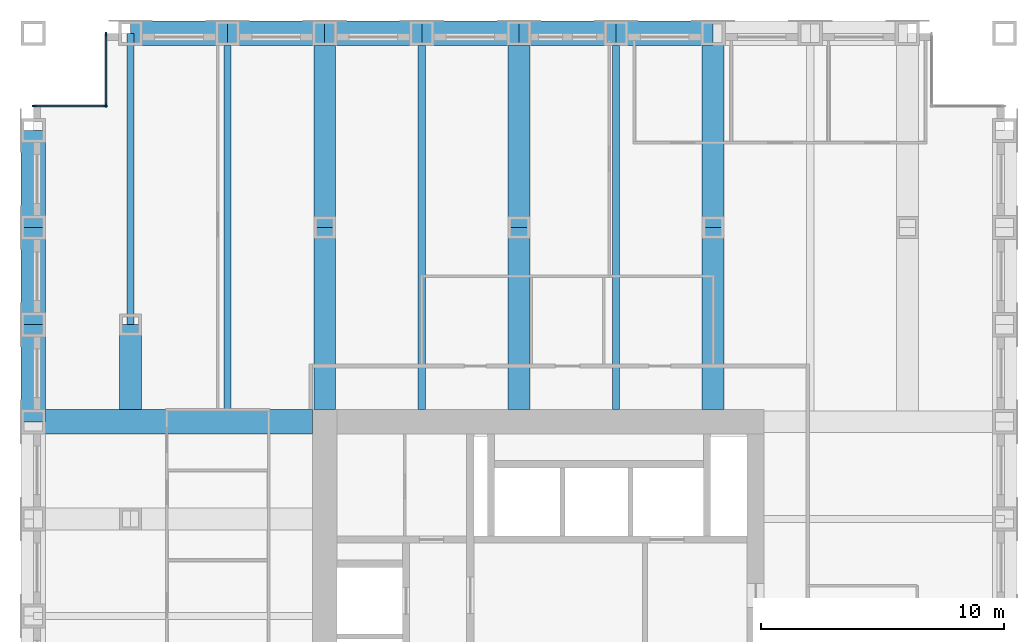
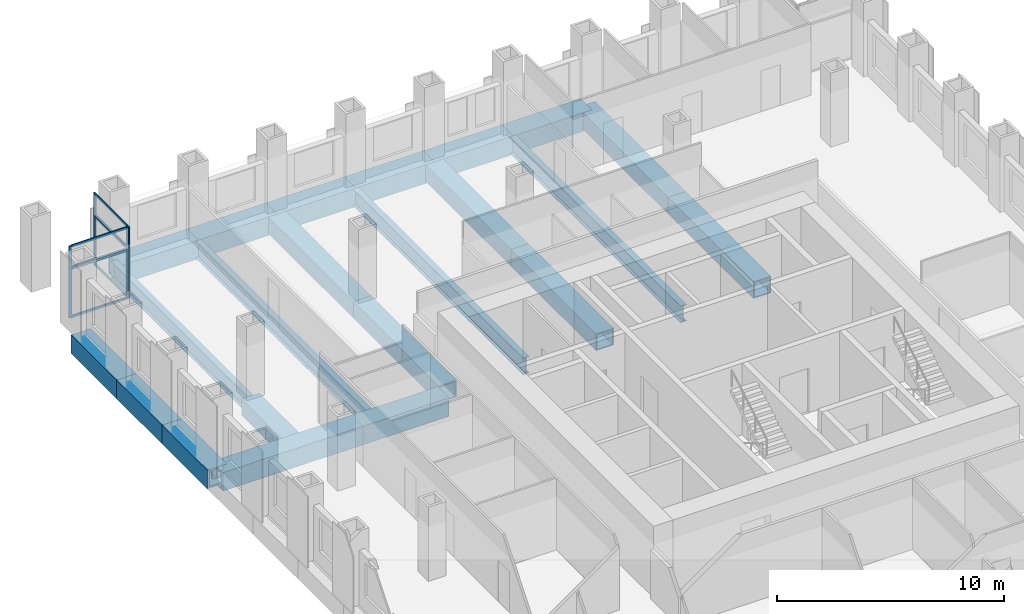
# One storey, part 5 of 12: 21 beams, 16 members, 4 elements without a shape of their own.
"""IFC4 building model written with IfcOpenShell, lengths in metres."""

from ifc_helpers import new_model, si_unit, direction, frame, origin, origin_2d, place, context, subcontext, project, spatial, rectangle, hollow_rectangle, i_section, extrude, material, material_profile, profile_set, type_object, element, aggregate, save


model = new_model("IFC4")

# Units and contexts
model_context = context("Model", 3, precision=1e-05, world=origin(), true_north=direction((0.0, 1.0)))
body_context = subcontext(model_context, "Body", "Model", "MODEL_VIEW")
ifc_project = project(units=[si_unit("LENGTHUNIT", "METRE"), si_unit("AREAUNIT", "SQUARE_METRE"), si_unit("VOLUMEUNIT", "CUBIC_METRE"), si_unit("PLANEANGLEUNIT", "RADIAN"), si_unit("MASSUNIT", "GRAM", prefix="KILO")], contexts=[model_context])

# Site, building, storey
site_placement = place(None, origin())
site = spatial("IfcSite", under=ifc_project, at=site_placement, CompositionType="ELEMENT")
building_placement = place(site_placement, origin())
building = spatial("IfcBuilding", under=site, at=building_placement, Name="Rimbunsela Tower", CompositionType="ELEMENT")
storey_placement = place(building_placement, frame((0.0, 0.0, 167.800048828125)))
storey = spatial("IfcBuildingStorey", under=building, at=storey_placement, Name="L40", CompositionType="ELEMENT", Elevation=167.800048828125)

# Beams
ifc_material_1 = material(Name="Steel BJ 55 (fy 410 MPa)", Category="steel")
ifc_material_profile_1 = material_profile(ifc_material_1, hollow_rectangle(XDim=1.0, YDim=1.0, WallThickness=0.10009765625, at=origin_2d()), Name="BOX 1000x1000x100")
ifc_profile_set_1 = profile_set([ifc_material_profile_1], Name="Steel BJ 55 (fy 410 MPa)")
beam_type_1 = type_object("IfcBeamType", Name="Beam BOX 1000x1000x100", PredefinedType="BEAM", material=ifc_profile_set_1)
beam_1_placement = place(storey_placement, frame((6.0, 36.0, -0.650146484375), z_axis=(0.0, 1.0, 0.0), x_axis=(-1.0, 0.0, 0.0)))
element("IfcBeam", 1, at=beam_1_placement, inside=storey, type_object=beam_type_1, Name="Beam B3 L40", PredefinedType="BEAM", context=body_context, shape_type="SweptSolid", body=[
    extrude(hollow_rectangle(XDim=1.0, YDim=1.0, WallThickness=0.10009765625, at=origin_2d()), origin(), (0.0, 0.0, 1.0), 4.0),
])
beam_2_placement = place(storey_placement, frame((6.0, 36.0, -0.650146484375), z_axis=(1.0, 0.0, 0.0), x_axis=(0.0, 1.0, 0.0)))
element("IfcBeam", 2, at=beam_2_placement, inside=storey, type_object=beam_type_1, Name="Beam B3 L40", PredefinedType="BEAM", context=body_context, shape_type="SweptSolid", body=[
    extrude(hollow_rectangle(XDim=1.0, YDim=1.0, WallThickness=0.10009765625, at=origin_2d()), origin(), (0.0, 0.0, 1.0), 11.5),
])
for number, where, z_axis, x_axis, name in (
    (3, (6.0, 40.0, -0.650146484375), (0.0, 1.0, 0.0), (-1.0, 0.0, 0.0), "Beam B3 L40"),
    (4, (6.0, 44.0, -0.650146484375), (0.0, 1.0, 0.0), (-1.0, 0.0, 0.0), "Beam B3 L40"),
    (5, (10.0, 52.0, -0.650146484375), (1.0, 0.0, 0.0), (0.0, 1.0, 0.0), "Beam B3 L40"),
    (6, (14.0, 52.0, -0.650146484375), (1.0, 0.0, 0.0), (0.0, 1.0, 0.0), "Beam B3 L40"),
    (7, (18.0, 52.0, -0.650146484375), (1.0, 0.0, 0.0), (0.0, 1.0, 0.0), "Beam B3 L40"),
    (8, (22.0, 52.0, -0.650146484375), (1.0, 0.0, 0.0), (0.0, 1.0, 0.0), "Beam B3 L40"),
    (9, (26.0, 52.0, -0.650146484375), (1.0, 0.0, 0.0), (0.0, 1.0, 0.0), "Beam B3 L40"),
    (10, (30.0, 52.0, -0.650146484375), (1.0, 0.0, 0.0), (0.0, 1.0, 0.0), "Beam B3 L40"),
):
    element("IfcBeam", number, at=place(storey_placement, frame(where, z_axis=z_axis, x_axis=x_axis)), inside=storey, type_object=beam_type_1, Name=name, PredefinedType="BEAM", context=body_context, shape_type="SweptSolid", body=[
        extrude(hollow_rectangle(XDim=1.0, YDim=1.0, WallThickness=0.10009765625, at=origin_2d()), origin(), (0.0, 0.0, 1.0), 4.0),
    ])
ifc_material_2 = material(Name="Steel BJ 55 (fy 410 MPa)", Category="steel")
ifc_material_profile_2 = material_profile(ifc_material_2, hollow_rectangle(XDim=0.89990234375, YDim=0.89990234375, WallThickness=0.06005859375, at=origin_2d()), Name="BOX 900x900x60")
ifc_profile_set_2 = profile_set([ifc_material_profile_2], Name="Steel BJ 55 (fy 410 MPa)")
beam_type_2 = type_object("IfcBeamType", Name="Beam BOX 900x900x60", PredefinedType="BEAM", material=ifc_profile_set_2)
beam_3_placement = place(storey_placement, frame((10.0, 36.5, -0.60009765625), z_axis=(0.0, 1.0, 0.0), x_axis=(-1.0, 0.0, 0.0)))
element("IfcBeam", 11, at=beam_3_placement, inside=storey, type_object=beam_type_2, Name="Beam B1 L40", PredefinedType="BEAM", context=body_context, shape_type="SweptSolid", body=[
    extrude(hollow_rectangle(XDim=0.89990234375, YDim=0.89990234375, WallThickness=0.06005859375, at=origin_2d()), origin(), (0.0, 0.0, 1.0), 3.5),
])
beam_4_placement = place(storey_placement, frame((18.0, 36.5, -0.60009765625), z_axis=(0.0, 1.0, 0.0), x_axis=(-1.0, 0.0, 0.0)))
element("IfcBeam", 12, at=beam_4_placement, inside=storey, type_object=beam_type_2, Name="Beam B1 L40", PredefinedType="BEAM", context=body_context, shape_type="SweptSolid", body=[
    extrude(hollow_rectangle(XDim=0.89990234375, YDim=0.89990234375, WallThickness=0.06005859375, at=origin_2d()), origin(), (0.0, 0.0, 1.0), 7.5),
])
beam_5_placement = place(storey_placement, frame((18.0, 44.0, -0.60009765625), z_axis=(0.0, 1.0, 0.0), x_axis=(-1.0, 0.0, 0.0)))
element("IfcBeam", 13, at=beam_5_placement, inside=storey, type_object=beam_type_2, Name="Beam B1 L40", PredefinedType="BEAM", context=body_context, shape_type="SweptSolid", body=[
    extrude(hollow_rectangle(XDim=0.89990234375, YDim=0.89990234375, WallThickness=0.06005859375, at=origin_2d()), origin(), (0.0, 0.0, 1.0), 8.0),
])
beam_6_placement = place(storey_placement, frame((26.0, 36.5, -0.60009765625), z_axis=(0.0, 1.0, 0.0), x_axis=(-1.0, 0.0, 0.0)))
element("IfcBeam", 14, at=beam_6_placement, inside=storey, type_object=beam_type_2, Name="Beam B1 L40", PredefinedType="BEAM", context=body_context, shape_type="SweptSolid", body=[
    extrude(hollow_rectangle(XDim=0.89990234375, YDim=0.89990234375, WallThickness=0.06005859375, at=origin_2d()), origin(), (0.0, 0.0, 1.0), 7.5),
])
beam_7_placement = place(storey_placement, frame((26.0, 44.0, -0.60009765625), z_axis=(0.0, 1.0, 0.0), x_axis=(-1.0, 0.0, 0.0)))
element("IfcBeam", 15, at=beam_7_placement, inside=storey, type_object=beam_type_2, Name="Beam B1 L40", PredefinedType="BEAM", context=body_context, shape_type="SweptSolid", body=[
    extrude(hollow_rectangle(XDim=0.89990234375, YDim=0.89990234375, WallThickness=0.06005859375, at=origin_2d()), origin(), (0.0, 0.0, 1.0), 8.0),
])
beam_8_placement = place(storey_placement, frame((34.0, 36.5, -0.60009765625), z_axis=(0.0, 1.0, 0.0), x_axis=(-1.0, 0.0, 0.0)))
element("IfcBeam", 16, at=beam_8_placement, inside=storey, type_object=beam_type_2, Name="Beam B1 L40", PredefinedType="BEAM", context=body_context, shape_type="SweptSolid", body=[
    extrude(hollow_rectangle(XDim=0.89990234375, YDim=0.89990234375, WallThickness=0.06005859375, at=origin_2d()), origin(), (0.0, 0.0, 1.0), 7.5),
])
beam_9_placement = place(storey_placement, frame((34.0, 44.0, -0.60009765625), z_axis=(0.0, 1.0, 0.0), x_axis=(-1.0, 0.0, 0.0)))
element("IfcBeam", 17, at=beam_9_placement, inside=storey, type_object=beam_type_2, Name="Beam B1 L40", PredefinedType="BEAM", context=body_context, shape_type="SweptSolid", body=[
    extrude(hollow_rectangle(XDim=0.89990234375, YDim=0.89990234375, WallThickness=0.06005859375, at=origin_2d()), origin(), (0.0, 0.0, 1.0), 8.0),
])
ifc_material_3 = material(Name="Steel BJ 55 (fy 410 MPa)", Category="steel")
ifc_material_profile_3 = material_profile(ifc_material_3, i_section(OverallWidth=0.300048828125, OverallDepth=0.89990234375, WebThickness=0.01611328125, FlangeThickness=0.028076171875, FilletRadius=0.028076171875, at=origin_2d()), Name="H 900x300x16x28")
ifc_profile_set_3 = profile_set([ifc_material_profile_3], Name="Steel BJ 55 (fy 410 MPa)")
beam_type_3 = type_object("IfcBeamType", Name="Beam H 900x300x16x28", PredefinedType="BEAM", material=ifc_profile_set_3)
beam_10_placement = place(storey_placement, frame((10.0, 40.0, -0.60009765625), z_axis=(0.0, 1.0, 0.0), x_axis=(-1.0, 0.0, 0.0)))
element("IfcBeam", 18, at=beam_10_placement, inside=storey, type_object=beam_type_3, Name="Beam B2 L40", PredefinedType="BEAM", context=body_context, shape_type="SweptSolid", body=[
    extrude(i_section(OverallWidth=0.300048828125, OverallDepth=0.89990234375, WebThickness=0.01611328125, FlangeThickness=0.028076171875, FilletRadius=0.028076171875, at=origin_2d()), origin(), (0.0, 0.0, 1.0), 12.0),
])
for number, where, z_axis, x_axis, name in (
    (19, (14.0, 36.5, -0.60009765625), (0.0, 1.0, 0.0), (-1.0, 0.0, 0.0), "Beam B2 L40"),
    (20, (22.0, 36.5, -0.60009765625), (0.0, 1.0, 0.0), (-1.0, 0.0, 0.0), "Beam B2 L40"),
    (21, (30.0, 36.5, -0.60009765625), (0.0, 1.0, 0.0), (-1.0, 0.0, 0.0), "Beam B2 L40"),
):
    element("IfcBeam", number, at=place(storey_placement, frame(where, z_axis=z_axis, x_axis=x_axis)), inside=storey, type_object=beam_type_3, Name=name, PredefinedType="BEAM", context=body_context, shape_type="SweptSolid", body=[
        extrude(i_section(OverallWidth=0.300048828125, OverallDepth=0.89990234375, WebThickness=0.01611328125, FlangeThickness=0.028076171875, FilletRadius=0.028076171875, at=origin_2d()), origin(), (0.0, 0.0, 1.0), 15.5),
    ])

# Curtain wall, members
ifc_material_4 = material(Name="Aluminium curtain wall", Category="aluminium")
curtain_wall_type_1 = type_object("IfcCurtainWallType", Name="Corner glazing", PredefinedType="USERDEFINED", material=ifc_material_4)
curtain_wall_1_placement = place(storey_placement, origin())
curtain_wall_1 = element("IfcCurtainWall", 22, at=curtain_wall_1_placement, inside=storey, type_object=curtain_wall_type_1, Name="Corner glazing L40", ObjectType="CORNER GLAZING", PredefinedType="USERDEFINED")
ifc_material_5 = material(Name="Aluminium mullion", Category="aluminium")
ifc_material_profile_4 = material_profile(ifc_material_5, rectangle(XDim=0.06005859375, YDim=0.159912109375, at=origin_2d()), Name="Mullion 60x160")
ifc_profile_set_4 = profile_set([ifc_material_profile_4], Name="Aluminium mullion")
member_type_1 = type_object("IfcMemberType", Name="Curtain wall mullion 60x160", PredefinedType="MULLION", material=ifc_profile_set_4)
member_1_placement = place(storey_placement, frame((9.0, 51.969970703125, 0.0), z_axis=(0.0, 0.0, 1.0), x_axis=(1.0, 0.0, 0.0)))
member_1 = element("IfcMember", 23, at=member_1_placement, type_object=member_type_1, Name="CW5 mullion 1", PredefinedType="MULLION", context=body_context, shape_type="SweptSolid", body=[
    extrude(rectangle(XDim=0.06005859375, YDim=0.159912109375, at=origin_2d()), origin(), (0.0, 0.0, 1.0), 2.64990234375),
])
member_2_placement = place(storey_placement, frame((9.0, 49.030029296875, 0.0), z_axis=(0.0, 0.0, 1.0), x_axis=(1.0, 0.0, 0.0)))
member_2 = element("IfcMember", 24, at=member_2_placement, type_object=member_type_1, Name="CW5 mullion 2", PredefinedType="MULLION", context=body_context, shape_type="SweptSolid", body=[
    extrude(rectangle(XDim=0.06005859375, YDim=0.159912109375, at=origin_2d()), origin(), (0.0, 0.0, 1.0), 2.64990234375),
])

ifc_material_6 = material(Name="Aluminium curtain wall", Category="aluminium")
curtain_wall_type_2 = type_object("IfcCurtainWallType", Name="Spandrel wall", PredefinedType="USERDEFINED", material=ifc_material_6)
curtain_wall_2_placement = place(storey_placement, origin())
curtain_wall_2 = element("IfcCurtainWall", 25, at=curtain_wall_2_placement, inside=storey, type_object=curtain_wall_type_2, Name="Spandrel wall L40", ObjectType="SPANDREL WALL", PredefinedType="USERDEFINED")
member_3_placement = place(storey_placement, frame((9.0, 51.969970703125, 2.64990234375), z_axis=(0.0, 0.0, 1.0), x_axis=(1.0, 0.0, 0.0)))
member_3 = element("IfcMember", 26, at=member_3_placement, type_object=member_type_1, Name="CW7 mullion 1", PredefinedType="MULLION", context=body_context, shape_type="SweptSolid", body=[
    extrude(rectangle(XDim=0.06005859375, YDim=0.159912109375, at=origin_2d()), origin(), (0.0, 0.0, 1.0), 1.199951171875),
])
member_4_placement = place(storey_placement, frame((9.0, 49.030029296875, 2.64990234375), z_axis=(0.0, 0.0, 1.0), x_axis=(1.0, 0.0, 0.0)))
member_4 = element("IfcMember", 27, at=member_4_placement, type_object=member_type_1, Name="CW7 mullion 2", PredefinedType="MULLION", context=body_context, shape_type="SweptSolid", body=[
    extrude(rectangle(XDim=0.06005859375, YDim=0.159912109375, at=origin_2d()), origin(), (0.0, 0.0, 1.0), 1.199951171875),
])

curtain_wall_3_placement = place(storey_placement, origin())
curtain_wall_3 = element("IfcCurtainWall", 28, at=curtain_wall_3_placement, inside=storey, type_object=curtain_wall_type_1, Name="Corner glazing L40", ObjectType="CORNER GLAZING", PredefinedType="USERDEFINED")
member_5_placement = place(storey_placement, frame((8.969970703125, 49.0, 0.0), z_axis=(0.0, 0.0, 1.0), x_axis=(0.0, -1.0, 0.0)))
member_5 = element("IfcMember", 29, at=member_5_placement, type_object=member_type_1, Name="CW5 mullion 1", PredefinedType="MULLION", context=body_context, shape_type="SweptSolid", body=[
    extrude(rectangle(XDim=0.06005859375, YDim=0.159912109375, at=origin_2d()), origin(), (0.0, 0.0, 1.0), 2.64990234375),
])
member_6_placement = place(storey_placement, frame((6.030029296875, 49.0, 0.0), z_axis=(0.0, 0.0, 1.0), x_axis=(0.0, -1.0, 0.0)))
member_6 = element("IfcMember", 30, at=member_6_placement, type_object=member_type_1, Name="CW5 mullion 2", PredefinedType="MULLION", context=body_context, shape_type="SweptSolid", body=[
    extrude(rectangle(XDim=0.06005859375, YDim=0.159912109375, at=origin_2d()), origin(), (0.0, 0.0, 1.0), 2.64990234375),
])

curtain_wall_4_placement = place(storey_placement, origin())
curtain_wall_4 = element("IfcCurtainWall", 31, at=curtain_wall_4_placement, inside=storey, type_object=curtain_wall_type_2, Name="Spandrel wall L40", ObjectType="SPANDREL WALL", PredefinedType="USERDEFINED")
member_7_placement = place(storey_placement, frame((8.969970703125, 49.0, 2.64990234375), z_axis=(0.0, 0.0, 1.0), x_axis=(0.0, -1.0, 0.0)))
member_7 = element("IfcMember", 32, at=member_7_placement, type_object=member_type_1, Name="CW7 mullion 1", PredefinedType="MULLION", context=body_context, shape_type="SweptSolid", body=[
    extrude(rectangle(XDim=0.06005859375, YDim=0.159912109375, at=origin_2d()), origin(), (0.0, 0.0, 1.0), 1.199951171875),
])
member_8_placement = place(storey_placement, frame((6.030029296875, 49.0, 2.64990234375), z_axis=(0.0, 0.0, 1.0), x_axis=(0.0, -1.0, 0.0)))
member_8 = element("IfcMember", 33, at=member_8_placement, type_object=member_type_1, Name="CW7 mullion 2", PredefinedType="MULLION", context=body_context, shape_type="SweptSolid", body=[
    extrude(rectangle(XDim=0.06005859375, YDim=0.159912109375, at=origin_2d()), origin(), (0.0, 0.0, 1.0), 1.199951171875),
])

# Member
ifc_material_7 = material(Name="Aluminium transom", Category="aluminium")
ifc_material_profile_5 = material_profile(ifc_material_7, rectangle(XDim=0.06005859375, YDim=0.1201171875, at=origin_2d()), Name="Transom 60x120")
ifc_profile_set_5 = profile_set([ifc_material_profile_5], Name="Aluminium transom")
member_type_2 = type_object("IfcMemberType", Name="Curtain wall transom 60x120", PredefinedType="USERDEFINED", material=ifc_profile_set_5)
member_9_placement = place(storey_placement, frame((9.0, 51.93994140625, 0.030029296875), z_axis=(0.0, -1.0, 0.0), x_axis=(1.0, 0.0, 0.0)))
member_9 = element("IfcMember", 34, at=member_9_placement, type_object=member_type_2, Name="CW5 transom 1.1", ObjectType="TRANSOM", PredefinedType="USERDEFINED", context=body_context, shape_type="SweptSolid", body=[
    extrude(rectangle(XDim=0.06005859375, YDim=0.1201171875, at=origin_2d()), origin(), (0.0, 0.0, 1.0), 2.8798828125),
])

member_10_placement = place(storey_placement, frame((9.0, 51.93994140625, 2.619873046875), z_axis=(0.0, -1.0, 0.0), x_axis=(1.0, 0.0, 0.0)))
member_10 = element("IfcMember", 35, at=member_10_placement, type_object=member_type_2, Name="CW5 transom 1.2", ObjectType="TRANSOM", PredefinedType="USERDEFINED", context=body_context, shape_type="SweptSolid", body=[
    extrude(rectangle(XDim=0.06005859375, YDim=0.1201171875, at=origin_2d()), origin(), (0.0, 0.0, 1.0), 2.8798828125),
])

aggregate(curtain_wall_1, [member_1, member_2, member_9, member_10])

member_11_placement = place(storey_placement, frame((9.0, 51.93994140625, 2.679931640625), z_axis=(0.0, -1.0, 0.0), x_axis=(1.0, 0.0, 0.0)))
member_11 = element("IfcMember", 36, at=member_11_placement, type_object=member_type_2, Name="CW7 transom 1.1", ObjectType="TRANSOM", PredefinedType="USERDEFINED", context=body_context, shape_type="SweptSolid", body=[
    extrude(rectangle(XDim=0.06005859375, YDim=0.1201171875, at=origin_2d()), origin(), (0.0, 0.0, 1.0), 2.8798828125),
])

member_12_placement = place(storey_placement, frame((9.0, 51.93994140625, 3.820068359375), z_axis=(0.0, -1.0, 0.0), x_axis=(1.0, 0.0, 0.0)))
member_12 = element("IfcMember", 37, at=member_12_placement, type_object=member_type_2, Name="CW7 transom 1.2", ObjectType="TRANSOM", PredefinedType="USERDEFINED", context=body_context, shape_type="SweptSolid", body=[
    extrude(rectangle(XDim=0.06005859375, YDim=0.1201171875, at=origin_2d()), origin(), (0.0, 0.0, 1.0), 2.8798828125),
])

aggregate(curtain_wall_2, [member_3, member_4, member_11, member_12])

member_13_placement = place(storey_placement, frame((8.93994140625, 49.0, 0.030029296875), z_axis=(-1.0, 0.0, 0.0), x_axis=(0.0, -1.0, 0.0)))
member_13 = element("IfcMember", 38, at=member_13_placement, type_object=member_type_2, Name="CW5 transom 1.1", ObjectType="TRANSOM", PredefinedType="USERDEFINED", context=body_context, shape_type="SweptSolid", body=[
    extrude(rectangle(XDim=0.06005859375, YDim=0.1201171875, at=origin_2d()), origin(), (0.0, 0.0, 1.0), 2.8798828125),
])

member_14_placement = place(storey_placement, frame((8.93994140625, 49.0, 2.619873046875), z_axis=(-1.0, 0.0, 0.0), x_axis=(0.0, -1.0, 0.0)))
member_14 = element("IfcMember", 39, at=member_14_placement, type_object=member_type_2, Name="CW5 transom 1.2", ObjectType="TRANSOM", PredefinedType="USERDEFINED", context=body_context, shape_type="SweptSolid", body=[
    extrude(rectangle(XDim=0.06005859375, YDim=0.1201171875, at=origin_2d()), origin(), (0.0, 0.0, 1.0), 2.8798828125),
])

aggregate(curtain_wall_3, [member_5, member_6, member_13, member_14])

member_15_placement = place(storey_placement, frame((8.93994140625, 49.0, 2.679931640625), z_axis=(-1.0, 0.0, 0.0), x_axis=(0.0, -1.0, 0.0)))
member_15 = element("IfcMember", 40, at=member_15_placement, type_object=member_type_2, Name="CW7 transom 1.1", ObjectType="TRANSOM", PredefinedType="USERDEFINED", context=body_context, shape_type="SweptSolid", body=[
    extrude(rectangle(XDim=0.06005859375, YDim=0.1201171875, at=origin_2d()), origin(), (0.0, 0.0, 1.0), 2.8798828125),
])

member_16_placement = place(storey_placement, frame((8.93994140625, 49.0, 3.820068359375), z_axis=(-1.0, 0.0, 0.0), x_axis=(0.0, -1.0, 0.0)))
member_16 = element("IfcMember", 41, at=member_16_placement, type_object=member_type_2, Name="CW7 transom 1.2", ObjectType="TRANSOM", PredefinedType="USERDEFINED", context=body_context, shape_type="SweptSolid", body=[
    extrude(rectangle(XDim=0.06005859375, YDim=0.1201171875, at=origin_2d()), origin(), (0.0, 0.0, 1.0), 2.8798828125),
])

aggregate(curtain_wall_4, [member_7, member_8, member_15, member_16])

save(model, "model.ifc")
